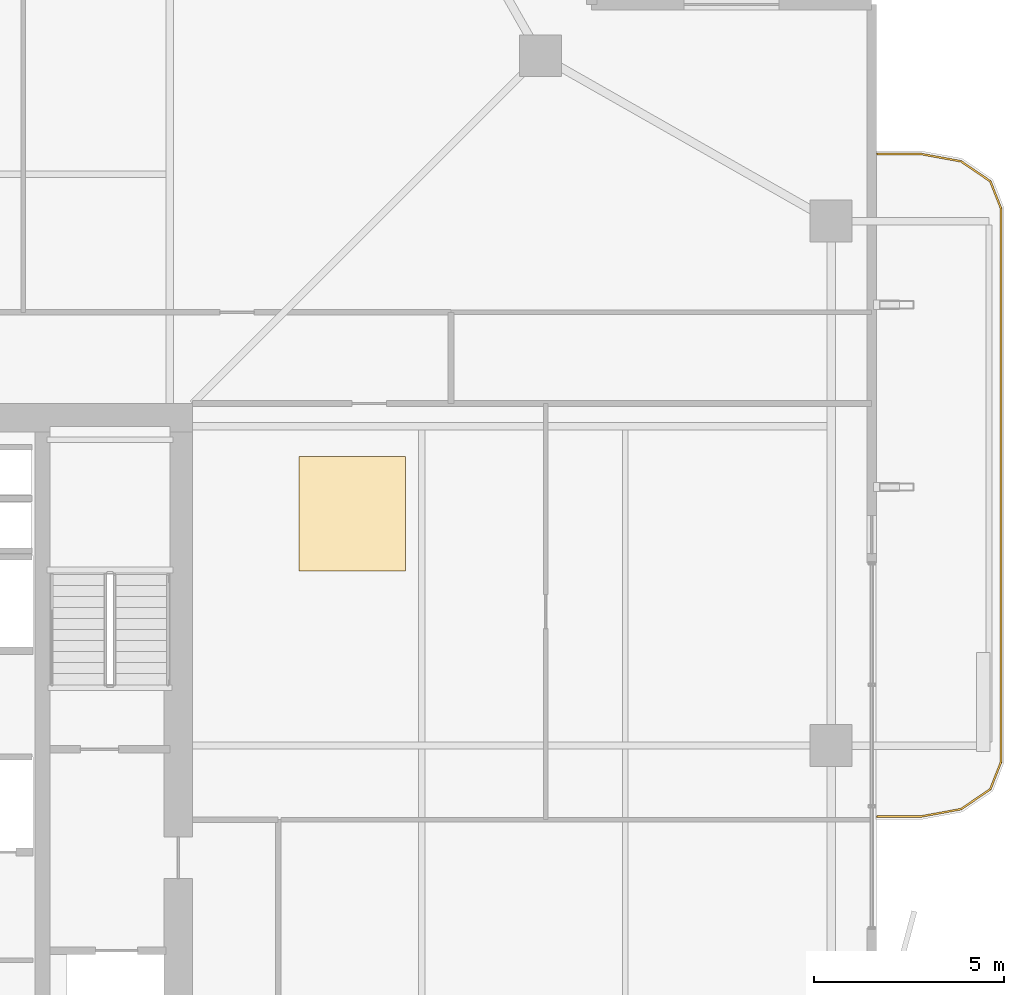
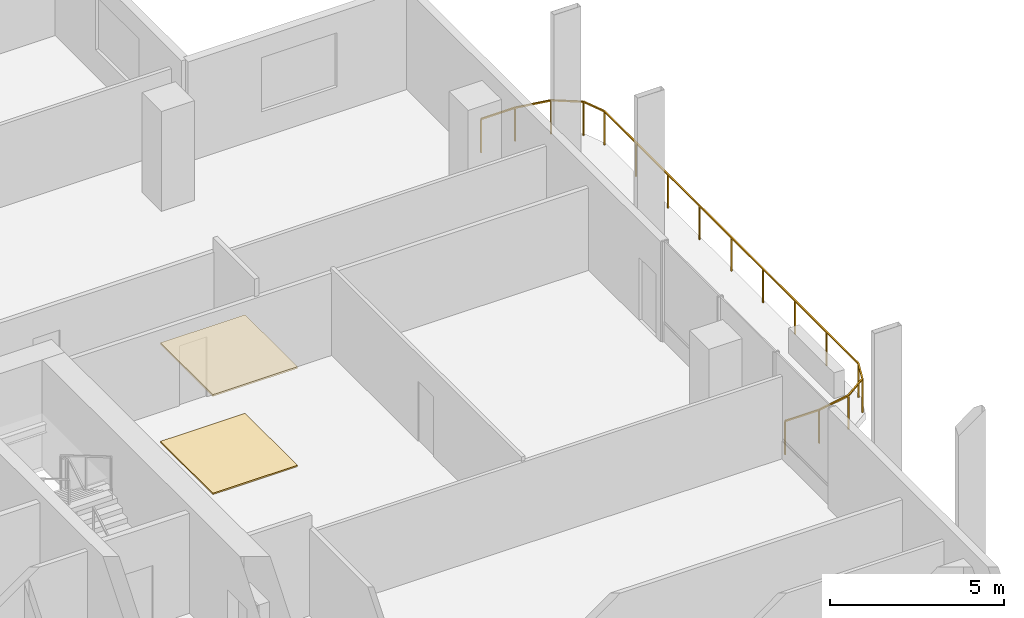
# One storey, part 24 of 24: 2 coverings, 1 railing.
"""IFC4 building model written with IfcOpenShell, lengths in metres."""

from ifc_helpers import new_model, si_unit, direction, frame, origin, origin_2d, place, context, subcontext, project, spatial, polyline, rectangle, outline, extrude, material, layer, layer_set, type_object, element, save


model = new_model("IFC4")

# Units and contexts
model_context = context("Model", 3, precision=1e-05, world=origin(), true_north=direction((0.0, 1.0)))
body_context = subcontext(model_context, "Body", "Model", "MODEL_VIEW")
ifc_project = project(units=[si_unit("LENGTHUNIT", "METRE"), si_unit("AREAUNIT", "SQUARE_METRE"), si_unit("VOLUMEUNIT", "CUBIC_METRE"), si_unit("PLANEANGLEUNIT", "RADIAN"), si_unit("MASSUNIT", "GRAM", prefix="KILO")], contexts=[model_context])

# Site, building, storey
site_placement = place(None, origin())
site = spatial("IfcSite", under=ifc_project, at=site_placement, CompositionType="ELEMENT")
building_placement = place(site_placement, origin())
building = spatial("IfcBuilding", under=site, at=building_placement, Name="Belovzor Exchange Tower", CompositionType="ELEMENT")
storey_placement = place(building_placement, frame((0.0, 0.0, 233.699951171875)))
storey = spatial("IfcBuildingStorey", under=building, at=storey_placement, Name="L58", CompositionType="ELEMENT", Elevation=233.699951171875)

# Railing
ifc_material_1 = material(Name="Stainless Steel and Laminated Safety Glass", Category="steel")
railing_type = type_object("IfcRailingType", Name="Laminated Glass & Stainless Steel Balcony Balustrade 1200", PredefinedType="BALUSTRADE", material=ifc_material_1)
railing_placement = place(storey_placement, frame((55.81005859375, 26.929931640625, 0.0)))
element("IfcRailing", 1, at=railing_placement, inside=storey, type_object=railing_type, Name="GR-1 Balcony Balustrade L58 East", PredefinedType="BALUSTRADE", context=body_context, shape_type="SweptSolid", body=[
    extrude(rectangle(XDim=0.048095703125, YDim=0.048095703125, at=origin_2d()), frame((0.0, 0.0, 1.17578125), z_axis=(1.0, 0.0, 0.0), x_axis=(0.0, 1.0, 0.0)), (0.0, 0.0, 1.0), 1.133056640625),
    extrude(rectangle(XDim=0.048095703125, YDim=0.048095703125, at=origin_2d()), frame((1.133056640625, 0.0, 1.17578125), z_axis=(0.983644145941, 0.180122719713, 0.0), x_axis=(-0.180122719713, 0.983644145941, 0.0)), (0.0, 0.0, 1.0), 1.09375),
    extrude(rectangle(XDim=0.048095703125, YDim=0.048095703125, at=origin_2d()), frame((2.208984375, 0.197021484375, 1.17578125), z_axis=(0.826493025367, 0.56294695933, 0.0), x_axis=(-0.56294695933, 0.826493025367, 0.0)), (0.0, 0.0, 1.0), 0.932861328125),
    extrude(rectangle(XDim=0.048095703125, YDim=0.048095703125, at=origin_2d()), frame((2.97998046875, 0.72216796875, 1.17578125), z_axis=(0.365612923861, 0.930766990125, 0.0), x_axis=(-0.930766990125, 0.365612923861, 0.0)), (0.0, 0.0, 1.0), 0.765869140625),
    extrude(rectangle(XDim=0.048095703125, YDim=0.048095703125, at=origin_2d()), frame((3.260009765625, 1.43505859375, 1.17578125), z_axis=(0.0, 1.0, 0.0), x_axis=(-1.0, 0.0, 0.0)), (0.0, 0.0, 1.0), 14.570068359375),
    extrude(rectangle(XDim=0.048095703125, YDim=0.048095703125, at=origin_2d()), frame((3.260009765625, 16.005126953125, 1.17578125), z_axis=(-0.365612923861, 0.930766990125, 0.0), x_axis=(-0.930766990125, -0.365612923861, 0.0)), (0.0, 0.0, 1.0), 0.765869140625),
    extrude(rectangle(XDim=0.048095703125, YDim=0.048095703125, at=origin_2d()), frame((2.97998046875, 16.718017578125, 1.17578125), z_axis=(-0.826493025367, 0.56294695933, 0.0), x_axis=(-0.56294695933, -0.826493025367, 0.0)), (0.0, 0.0, 1.0), 0.932861328125),
    extrude(rectangle(XDim=0.048095703125, YDim=0.048095703125, at=origin_2d()), frame((2.208984375, 17.2431640625, 1.17578125), z_axis=(-0.983644145941, 0.180122719713, 0.0), x_axis=(-0.180122719713, -0.983644145941, 0.0)), (0.0, 0.0, 1.0), 1.09375),
    extrude(rectangle(XDim=0.048095703125, YDim=0.048095703125, at=origin_2d()), frame((1.133056640625, 17.440185546875, 1.17578125), z_axis=(-1.0, 0.0, 0.0), x_axis=(0.0, -1.0, 0.0)), (0.0, 0.0, 1.0), 1.133056640625),
    extrude(rectangle(XDim=0.0419921875, YDim=0.0419921875, at=origin_2d()), origin(), (0.0, 0.0, 1.0), 1.15185546875),
    extrude(rectangle(XDim=0.0419921875, YDim=0.0419921875, at=origin_2d()), frame((1.133056640625, 0.0, 0.0)), (0.0, 0.0, 1.0), 1.15185546875),
    extrude(rectangle(XDim=0.0419921875, YDim=0.0419921875, at=origin_2d()), frame((2.208984375, 0.197021484375, 0.0)), (0.0, 0.0, 1.0), 1.15185546875),
    extrude(rectangle(XDim=0.0419921875, YDim=0.0419921875, at=origin_2d()), frame((2.97998046875, 0.72216796875, 0.0)), (0.0, 0.0, 1.0), 1.15185546875),
    extrude(rectangle(XDim=0.0419921875, YDim=0.0419921875, at=origin_2d()), frame((3.260009765625, 1.43505859375, 0.0)), (0.0, 0.0, 1.0), 1.15185546875),
    extrude(rectangle(XDim=0.0419921875, YDim=0.0419921875, at=origin_2d()), frame((3.260009765625, 3.25634765625, 0.0)), (0.0, 0.0, 1.0), 1.15185546875),
    extrude(rectangle(XDim=0.0419921875, YDim=0.0419921875, at=origin_2d()), frame((3.260009765625, 5.07763671875, 0.0)), (0.0, 0.0, 1.0), 1.15185546875),
    extrude(rectangle(XDim=0.0419921875, YDim=0.0419921875, at=origin_2d()), frame((3.260009765625, 6.89892578125, 0.0)), (0.0, 0.0, 1.0), 1.15185546875),
    extrude(rectangle(XDim=0.0419921875, YDim=0.0419921875, at=origin_2d()), frame((3.260009765625, 8.72021484375, 0.0)), (0.0, 0.0, 1.0), 1.15185546875),
    extrude(rectangle(XDim=0.0419921875, YDim=0.0419921875, at=origin_2d()), frame((3.260009765625, 10.541259765625, 0.0)), (0.0, 0.0, 1.0), 1.15185546875),
    extrude(rectangle(XDim=0.0419921875, YDim=0.0419921875, at=origin_2d()), frame((3.260009765625, 12.362548828125, 0.0)), (0.0, 0.0, 1.0), 1.15185546875),
    extrude(rectangle(XDim=0.0419921875, YDim=0.0419921875, at=origin_2d()), frame((3.260009765625, 14.183837890625, 0.0)), (0.0, 0.0, 1.0), 1.15185546875),
    extrude(rectangle(XDim=0.0419921875, YDim=0.0419921875, at=origin_2d()), frame((3.260009765625, 16.005126953125, 0.0)), (0.0, 0.0, 1.0), 1.15185546875),
    extrude(rectangle(XDim=0.0419921875, YDim=0.0419921875, at=origin_2d()), frame((2.97998046875, 16.718017578125, 0.0)), (0.0, 0.0, 1.0), 1.15185546875),
    extrude(rectangle(XDim=0.0419921875, YDim=0.0419921875, at=origin_2d()), frame((2.208984375, 17.2431640625, 0.0)), (0.0, 0.0, 1.0), 1.15185546875),
    extrude(rectangle(XDim=0.0419921875, YDim=0.0419921875, at=origin_2d()), frame((1.133056640625, 17.440185546875, 0.0)), (0.0, 0.0, 1.0), 1.15185546875),
    extrude(rectangle(XDim=0.0419921875, YDim=0.0419921875, at=origin_2d()), frame((0.0, 17.440185546875, 0.0)), (0.0, 0.0, 1.0), 1.15185546875),
])

# Coverings
ifc_material_2 = material(Name="Perforated Powder-Coated Aluminium", Category="aluminium")
ifc_layer_1 = layer(ifc_material_2, 0.06005859375)
ifc_layer_set_1 = layer_set([ifc_layer_1], Name="Perforated Powder-Coated Aluminium")
covering_type_1 = type_object("IfcCoveringType", Name="Perforated Acoustic Metal Tile Suspended Ceiling 60", PredefinedType="CEILING", material=ifc_layer_set_1)
covering_1_placement = place(storey_placement, frame((0.0, 0.0, 3.43994140625)))
element("IfcCovering", 2, at=covering_1_placement, inside=storey, type_object=covering_type_1, Name="CLG-AC60 Suspended Ceiling CLG-L58-Z2", PredefinedType="CEILING", context=body_context, shape_type="SweptSolid", body=[
    extrude(outline(polyline([(40.60009765625, 33.39990234375), (43.39990234375, 33.39990234375), (43.39990234375, 36.39990234375), (40.60009765625, 36.39990234375), (40.60009765625, 33.39990234375)])), origin(), (0.0, 0.0, 1.0), 0.06005859375),
])
ifc_material_3 = material(Name="Polished Natural Granite Tile", Category="masonry")
ifc_layer_2 = layer(ifc_material_3, 0.050048828125)
ifc_layer_set_2 = layer_set([ifc_layer_2], Name="Polished Natural Granite Tile")
covering_type_2 = type_object("IfcCoveringType", Name="Polished Karelian Granite & Raised Access Floor Finish 50", PredefinedType="FLOORING", material=ifc_layer_set_2)
covering_2_placement = place(storey_placement, origin())
element("IfcCovering", 3, at=covering_2_placement, inside=storey, type_object=covering_type_2, Name="FLR-GR50 Floor Finish FLR-L58-Z2", PredefinedType="FLOORING", context=body_context, shape_type="SweptSolid", body=[
    extrude(outline(polyline([(40.60009765625, 33.39990234375), (43.39990234375, 33.39990234375), (43.39990234375, 36.39990234375), (40.60009765625, 36.39990234375), (40.60009765625, 33.39990234375)])), origin(), (0.0, 0.0, 1.0), 0.050048828125),
])

save(model, "model.ifc")
